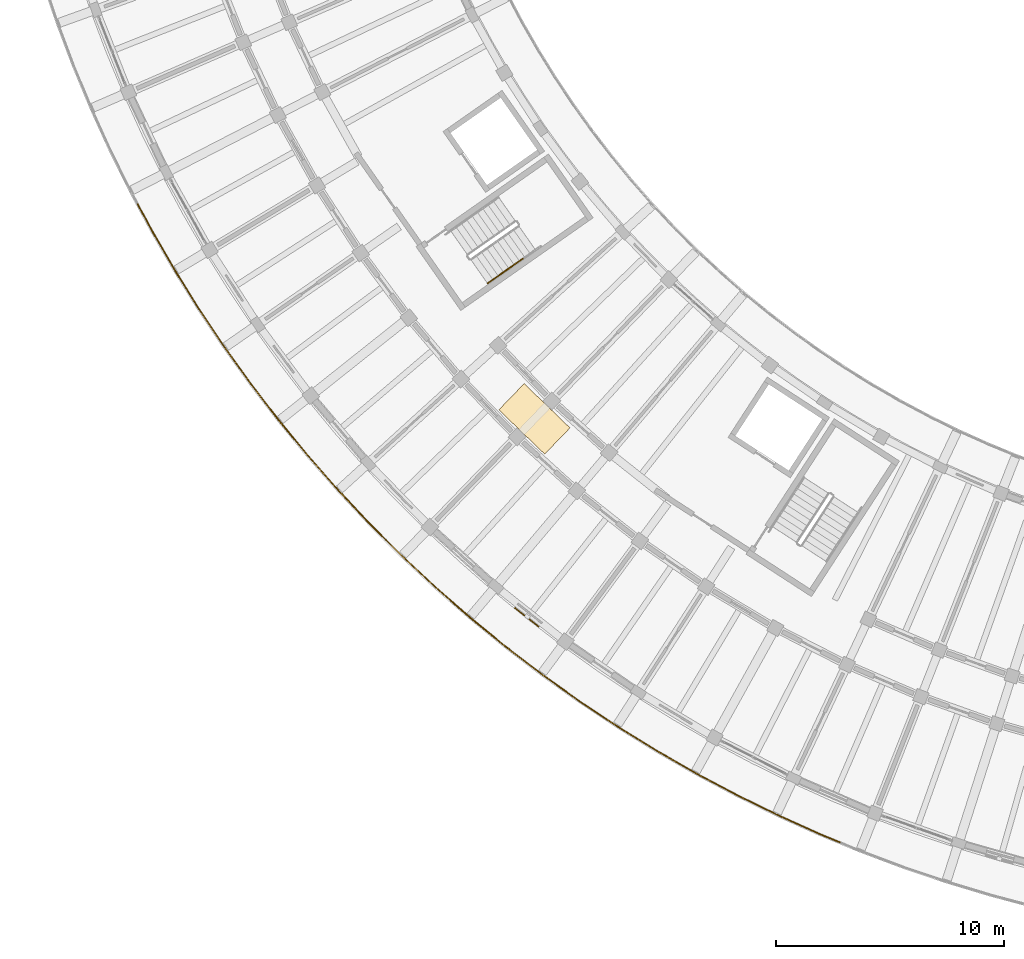
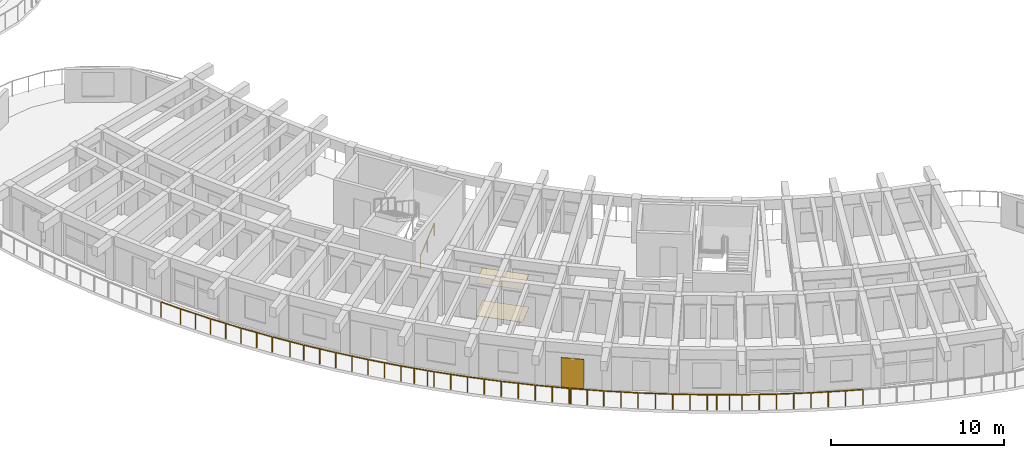
# One storey, part 79 of 96: 7 railings, 2 coverings, 1 shading device.
"""IFC4 building model written with IfcOpenShell, lengths in metres."""

import ifcopenshell
import ifcopenshell.guid

model = None  # the IFC model being written
_history = None  # IfcOwnerHistory: only IFC2X3 demands one
_inside = {}  # id of a spatial element -> (the spatial element, [elements in it])
_under = {}  # id of a project, library or spatial element -> (it, [spatial elements below it])
_declared = {}  # id of a project -> (the project, [libraries it declares])
_typed = {}  # id of a type object -> (the type object, [elements of that type])
_made_of = {}  # id of a material, layer set ... -> (it, [elements and type objects made of it])


def new_model(schema):
    """Start an empty IFC model of exactly this schema.

    Asked for "IFC4X3", IfcOpenShell would pick the latest addendum, in which some entities
    have other attributes; the version numbers below select the first issue.
    IFC2X3 requires an IfcOwnerHistory on every rooted entity: one is made here for all.
    """
    global model, _history
    if schema == "IFC4X3":
        model = ifcopenshell.file(schema_version=(4, 3, 0, 0))
    else:
        model = ifcopenshell.file(schema=schema)
    _inside.clear()
    _under.clear()
    _declared.clear()
    _typed.clear()
    _made_of.clear()
    _history = None
    if model.schema == "IFC2X3":
        org = make("IfcOrganization", Name="unknown")
        user = make(
            "IfcPersonAndOrganization",
            ThePerson=make("IfcPerson", FamilyName="unknown"),
            TheOrganization=org,
        )
        app = make(
            "IfcApplication",
            ApplicationDeveloper=org,
            Version="unknown",
            ApplicationFullName="unknown",
            ApplicationIdentifier="unknown",
        )
        _history = make(
            "IfcOwnerHistory",
            OwningUser=user,
            OwningApplication=app,
            ChangeAction="ADDED",
            CreationDate=0,
        )
    return model


def make(cls, **values):
    """One entity of the class cls with the attributes given. An attribute that is None is left unset."""
    return model.create_entity(
        cls, **{name: value for name, value in values.items() if value is not None}
    )


def rooted(cls, **values):
    """An entity with a GlobalId (a new one), such as an element, a storey or a relation."""
    return make(cls, GlobalId=ifcopenshell.guid.new(), OwnerHistory=_history, **values)


def si_unit(unit_type, name, prefix=None):
    """IfcSIUnit, for example si_unit("LENGTHUNIT", "METRE", prefix="MILLI")."""
    return make("IfcSIUnit", UnitType=unit_type, Prefix=prefix, Name=name)


def assignment(units):
    """IfcUnitAssignment: the units of a project."""
    return None if units is None else make("IfcUnitAssignment", Units=units)


def point(xyz):
    """IfcCartesianPoint."""
    return None if xyz is None else make("IfcCartesianPoint", Coordinates=xyz)


def direction(xyz):
    """IfcDirection."""
    return None if xyz is None else make("IfcDirection", DirectionRatios=xyz)


def frame(location, z_axis=None, x_axis=None):
    """IfcAxis2Placement3D, a coordinate frame: its origin and axes. An axis left out is left unset."""
    return make(
        "IfcAxis2Placement3D",
        Location=point(location),
        Axis=direction(z_axis),
        RefDirection=direction(x_axis),
    )


def frame_2d(location, x_axis=None):
    """IfcAxis2Placement2D, a coordinate frame in the plane: its origin and x axis."""
    return make(
        "IfcAxis2Placement2D", Location=point(location), RefDirection=direction(x_axis)
    )


def origin():
    """The frame at (0, 0, 0) with its axes left unset."""
    return frame((0.0, 0.0, 0.0))


def origin_2d():
    """The frame at (0, 0) in the plane with its x axis left unset."""
    return frame_2d((0.0, 0.0))


def place(relative_to, where):
    """IfcLocalPlacement: puts the frame where relative to a parent placement (None: the world)."""
    return make(
        "IfcLocalPlacement", PlacementRelTo=relative_to, RelativePlacement=where
    )


def context(
    kind, dimensions, precision=None, world=None, true_north=None, identifier=None
):
    """IfcGeometricRepresentationContext, for example the 3D "Model" context."""
    return make(
        "IfcGeometricRepresentationContext",
        ContextIdentifier=identifier,
        ContextType=kind,
        CoordinateSpaceDimension=dimensions,
        Precision=precision,
        WorldCoordinateSystem=world,
        TrueNorth=true_north,
    )


def subcontext(parent, identifier, kind, view, scale=None):
    """IfcGeometricRepresentationSubContext, for example "Body" below "Model"."""
    return make(
        "IfcGeometricRepresentationSubContext",
        ContextIdentifier=identifier,
        ContextType=kind,
        ParentContext=parent,
        TargetScale=scale,
        TargetView=view,
    )


def project(units=None, contexts=None):
    """IfcProject with its units and contexts."""
    return rooted(
        "IfcProject",
        Name="project",
        RepresentationContexts=contexts,
        UnitsInContext=assignment(units),
    )


def spatial(cls, under=None, at=None, **own):
    """A site, building, storey or space (cls), placed at a placement, below another one or the project."""
    s = rooted(cls, ObjectPlacement=at, **own)
    if under is not None:
        _under.setdefault(under.id(), (under, []))[1].append(s)
    return s


def profile(cls, at=None, kind="AREA", **sizes):
    """A parametric profile (cls). Its sizes go by their IFC names, for example OverallWidth=200.0."""
    return make(cls, ProfileType=kind, Position=at, **sizes)


def rectangle(**sizes):
    """IfcRectangleProfileDef."""
    return profile("IfcRectangleProfileDef", **sizes)


def circle(**sizes):
    """IfcCircleProfileDef."""
    return profile("IfcCircleProfileDef", **sizes)


def extrude(swept, where, along, depth):
    """IfcExtrudedAreaSolid: the profile swept, set in the frame where, extruded along a direction by depth."""
    return make(
        "IfcExtrudedAreaSolid",
        SweptArea=swept,
        Position=where,
        ExtrudedDirection=direction(along),
        Depth=depth,
    )


def shape(context_of_items, identifier, shape_type, items):
    """IfcShapeRepresentation: the items that make up one representation, for example the "Body"."""
    return make(
        "IfcShapeRepresentation",
        ContextOfItems=context_of_items,
        RepresentationIdentifier=identifier,
        RepresentationType=shape_type,
        Items=items,
    )


def material(Name=None, Category=None):
    """IfcMaterial."""
    return make("IfcMaterial", Name=Name, Category=Category)


def layer(
    of_material, thickness, ventilated=None, Name=None, Category=None, Priority=None
):
    """IfcMaterialLayer: one layer of a wall or slab, of a material (None: an air gap)."""
    return make(
        "IfcMaterialLayer",
        Material=of_material,
        LayerThickness=thickness,
        IsVentilated=ventilated,
        Name=Name,
        Category=Category,
        Priority=Priority,
    )


def layer_set(layers, Name=None):
    """IfcMaterialLayerSet."""
    return make("IfcMaterialLayerSet", MaterialLayers=layers, LayerSetName=Name)


def made_of(thing, what):
    """Note that an element or type object is made of a material, layer set ...; save() writes the relation."""
    if what is not None:
        _made_of.setdefault(what.id(), (what, []))[1].append(thing)
    return thing


def type_object(cls, material=None, **own):
    """A type object (cls), such as IfcWallType, which elements share."""
    return made_of(rooted(cls, **own), material)


def element(
    cls,
    number,
    at=None,
    inside=None,
    cuts=None,
    type_object=None,
    material=None,
    context=None,
    identifier="Body",
    shape_type=None,
    held_by="IfcProductDefinitionShape",
    body=None,
    shapes=None,
    **own,
):
    """One element of the class cls, such as IfcWall. Its Tag is "e" and its number.

    at: its placement. inside: the storey or other place that contains it. cuts: it is an
    opening in that element (IfcRelVoidsElement). A single representation is given by context,
    identifier, shape_type and body (its items); several are given by shapes. held_by: the class
    of the entity that holds the representations. save() writes the other relations.
    """
    e = rooted(cls, Tag="e%d" % number, ObjectPlacement=at, **own)
    if body is not None:
        shapes = [shape(context, identifier, shape_type, body)]
    if shapes is not None:
        e.Representation = make(held_by, Representations=shapes)
    if inside is not None:
        _inside.setdefault(inside.id(), (inside, []))[1].append(e)
    if cuts is not None:
        rooted(
            "IfcRelVoidsElement", RelatingBuildingElement=cuts, RelatedOpeningElement=e
        )
    if type_object is not None:
        _typed.setdefault(type_object.id(), (type_object, []))[1].append(e)
    return made_of(e, material)


def aggregate(whole, parts):
    """IfcRelAggregates: a whole, such as a stair, and the parts it consists of."""
    return rooted("IfcRelAggregates", RelatingObject=whole, RelatedObjects=parts)


def save(model, path):
    """Write the relations noted so far, then the file.

    IfcRelAggregates (storeys below a building ...), IfcRelContainedInSpatialStructure (elements
    in a storey), IfcRelDefinesByType, IfcRelAssociatesMaterial and IfcRelDeclares: one each for
    every whole, place, type object, material and project.
    """
    for whole, parts in _under.values():
        aggregate(whole, parts)
    for where, things in _inside.values():
        rooted(
            "IfcRelContainedInSpatialStructure",
            RelatedElements=things,
            RelatingStructure=where,
        )
    for kind, things in _typed.values():
        rooted("IfcRelDefinesByType", RelatedObjects=things, RelatingType=kind)
    for what, things in _made_of.values():
        rooted("IfcRelAssociatesMaterial", RelatedObjects=things, RelatingMaterial=what)
    for by, libraries in _declared.values():
        rooted("IfcRelDeclares", RelatingContext=by, RelatedDefinitions=libraries)
    model.write(path)


model = new_model("IFC4")

# Units and contexts
model_context = context("Model", 3, precision=1e-05, world=origin(), true_north=direction((0.0, 1.0)))
body_context = subcontext(model_context, "Body", "Model", "MODEL_VIEW")
ifc_project = project(units=[si_unit("LENGTHUNIT", "METRE"), si_unit("AREAUNIT", "SQUARE_METRE"), si_unit("VOLUMEUNIT", "CUBIC_METRE"), si_unit("PLANEANGLEUNIT", "RADIAN"), si_unit("MASSUNIT", "GRAM", prefix="KILO")], contexts=[model_context])

# Site, building, storey
site_placement = place(None, origin())
site = spatial("IfcSite", under=ifc_project, at=site_placement, CompositionType="ELEMENT")
building_placement = place(site_placement, origin())
building = spatial("IfcBuilding", under=site, at=building_placement, Name="Tanwirah Colonnade Gardens", CompositionType="ELEMENT")
storey_placement = place(building_placement, frame((0.0, 0.0, 12.199951171875)))
storey = spatial("IfcBuildingStorey", under=building, at=storey_placement, Name="L03", CompositionType="ELEMENT", Elevation=12.199951171875)

# Railings
ifc_material_1 = material(Name="Precast concrete C40/50", Category="concrete")
railing_type_1 = type_object("IfcRailingType", Name="BAL-EXT110", PredefinedType="BALUSTRADE", material=ifc_material_1)
railing_1_placement = place(storey_placement, frame((41.62255859375, 7.81982421875, 0.0)))
element("IfcRailing", 1, at=railing_1_placement, inside=storey, type_object=railing_type_1, Name="Block C L03 Balcony Ribbon Balustrade 11", PredefinedType="BALUSTRADE", context=body_context, shape_type="SweptSolid", body=[
    extrude(circle(Radius=0.02392578125, at=origin_2d()), frame((-0.02880859375, 0.011962890625, 1.076171875), z_axis=(-0.924279622952, 0.381716096851, 0.0), x_axis=(-0.381716096851, -0.924279622952, 0.0)), (0.0, 0.0, 1.0), 0.966552734375),
    extrude(circle(Radius=0.02392578125, at=origin_2d()), frame((-0.979736328125, 0.40576171875, 1.076171875), z_axis=(-0.911305810052, 0.411730155035, 0.0), x_axis=(-0.411730155035, -0.911305810052, 0.0)), (0.0, 0.0, 1.0), 1.944091796875),
    extrude(circle(Radius=0.02392578125, at=origin_2d()), frame((-2.807861328125, 1.23291015625, 1.076171875), z_axis=(-0.897352335885, 0.441314836916, 0.0), x_axis=(-0.441314836916, -0.897352335885, 0.0)), (0.0, 0.0, 1.0), 1.944091796875),
    extrude(circle(Radius=0.02392578125, at=origin_2d()), frame((-4.60791015625, 2.119140625, 1.076171875), z_axis=(-0.882416921514, 0.470468252516, 0.0), x_axis=(-0.470468252516, -0.882416921514, 0.0)), (0.0, 0.0, 1.0), 1.944091796875),
    extrude(circle(Radius=0.02392578125, at=origin_2d()), frame((-6.378173828125, 3.064208984375, 1.076171875), z_axis=(-0.866602615509, 0.498998904601, 0.0), x_axis=(-0.498998904601, -0.866602615509, 0.0)), (0.0, 0.0, 1.0), 1.388671875),
    extrude(circle(Radius=0.02099609375, at=origin_2d()), origin(), (0.0, 0.0, 1.0), 1.049072265625),
    extrude(circle(Radius=0.02099609375, at=origin_2d()), frame((-0.951171875, 0.392822265625, 0.0)), (0.0, 0.0, 1.0), 1.049072265625),
    extrude(circle(Radius=0.02099609375, at=origin_2d()), frame((-1.865478515625, 0.805908203125, 0.0)), (0.0, 0.0, 1.0), 1.049072265625),
    extrude(circle(Radius=0.02099609375, at=origin_2d()), frame((-2.77978515625, 1.218994140625, 0.0)), (0.0, 0.0, 1.0), 1.049072265625),
    extrude(circle(Radius=0.02099609375, at=origin_2d()), frame((-3.68017578125, 1.66162109375, 0.0)), (0.0, 0.0, 1.0), 1.049072265625),
    extrude(circle(Radius=0.02099609375, at=origin_2d()), frame((-4.580322265625, 2.1044921875, 0.0)), (0.0, 0.0, 1.0), 1.049072265625),
    extrude(circle(Radius=0.02099609375, at=origin_2d()), frame((-5.4658203125, 2.57666015625, 0.0)), (0.0, 0.0, 1.0), 1.049072265625),
    extrude(circle(Radius=0.02099609375, at=origin_2d()), frame((-6.35107421875, 3.048583984375, 0.0)), (0.0, 0.0, 1.0), 1.049072265625),
    extrude(circle(Radius=0.02099609375, at=origin_2d()), frame((-6.97998046875, 3.41064453125, 0.0)), (0.0, 0.0, 1.0), 1.049072265625),
    extrude(circle(Radius=0.02099609375, at=origin_2d()), frame((-7.608642578125, 3.772705078125, 0.0)), (0.0, 0.0, 1.0), 1.049072265625),
])
railing_2_placement = place(storey_placement, frame((34.013916015625, 11.592529296875, 0.0)))
element("IfcRailing", 2, at=railing_2_placement, inside=storey, type_object=railing_type_1, Name="Block C L03 Balcony Ribbon Balustrade 12", PredefinedType="BALUSTRADE", context=body_context, shape_type="SweptSolid", body=[
    extrude(circle(Radius=0.02392578125, at=origin_2d()), frame((-0.027099609375, 0.015625, 1.076171875), z_axis=(-0.866587887703, 0.49902448125, 0.0), x_axis=(-0.49902448125, -0.866587887703, 0.0)), (0.0, 0.0, 1.0), 0.49267578125),
    extrude(circle(Radius=0.02392578125, at=origin_2d()), frame((-0.5078125, 0.293701171875, 1.076171875), z_axis=(-0.84977735452, 0.527141771959, 0.0), x_axis=(-0.527141771959, -0.84977735452, 0.0)), (0.0, 0.0, 1.0), 1.9443359375),
    extrude(circle(Radius=0.02392578125, at=origin_2d()), frame((-2.212646484375, 1.352294921875, 1.076171875), z_axis=(-0.832069011603, 0.554672119301, 0.0), x_axis=(-0.554672119301, -0.832069011603, 0.0)), (0.0, 0.0, 1.0), 1.944091796875),
    extrude(circle(Radius=0.02392578125, at=origin_2d()), frame((-3.881591796875, 2.466064453125, 1.076171875), z_axis=(-0.813486769226, 0.581583421612, 0.0), x_axis=(-0.581583421612, -0.813486769226, 0.0)), (0.0, 0.0, 1.0), 1.944091796875),
    extrude(circle(Radius=0.02392578125, at=origin_2d()), frame((-5.513427734375, 3.634033203125, 1.076171875), z_axis=(-0.794008424843, 0.60790675377, 0.0), x_axis=(-0.60790675377, -0.794008424843, 0.0)), (0.0, 0.0, 1.0), 1.862060546875),
    extrude(circle(Radius=0.02099609375, at=origin_2d()), origin(), (0.0, 0.0, 1.0), 1.049072265625),
    extrude(circle(Radius=0.02099609375, at=origin_2d()), frame((-0.481201171875, 0.277099609375, 0.0)), (0.0, 0.0, 1.0), 1.049072265625),
    extrude(circle(Radius=0.02099609375, at=origin_2d()), frame((-1.333984375, 0.80615234375, 0.0)), (0.0, 0.0, 1.0), 1.049072265625),
    extrude(circle(Radius=0.02099609375, at=origin_2d()), frame((-2.1865234375, 1.3349609375, 0.0)), (0.0, 0.0, 1.0), 1.049072265625),
    extrude(circle(Radius=0.02099609375, at=origin_2d()), frame((-3.021484375, 1.8916015625, 0.0)), (0.0, 0.0, 1.0), 1.049072265625),
    extrude(circle(Radius=0.02099609375, at=origin_2d()), frame((-3.856201171875, 2.447998046875, 0.0)), (0.0, 0.0, 1.0), 1.049072265625),
    extrude(circle(Radius=0.02099609375, at=origin_2d()), frame((-4.67236328125, 3.031494140625, 0.0)), (0.0, 0.0, 1.0), 1.049072265625),
    extrude(circle(Radius=0.02099609375, at=origin_2d()), frame((-5.488525390625, 3.614990234375, 0.0)), (0.0, 0.0, 1.0), 1.049072265625),
    extrude(circle(Radius=0.02099609375, at=origin_2d()), frame((-6.25244140625, 4.199951171875, 0.0)), (0.0, 0.0, 1.0), 1.049072265625),
    extrude(circle(Radius=0.02099609375, at=origin_2d()), frame((-7.0166015625, 4.784912109375, 0.0)), (0.0, 0.0, 1.0), 1.049072265625),
])
railing_3_placement = place(storey_placement, frame((26.997314453125, 16.37744140625, 0.0)))
element("IfcRailing", 3, at=railing_3_placement, inside=storey, type_object=railing_type_1, Name="Block C L03 Balcony Ribbon Balustrade 13", PredefinedType="BALUSTRADE", context=body_context, shape_type="SweptSolid", body=[
    extrude(circle(Radius=0.02392578125, at=origin_2d()), frame((-0.02490234375, 0.01904296875, 1.076171875), z_axis=(-0.794611184815, 0.607118658061, 0.0), x_axis=(-0.607118658061, -0.794611184815, 0.0)), (0.0, 0.0, 1.0), 0.01953125),
    extrude(circle(Radius=0.02392578125, at=origin_2d()), frame((-0.08935546875, 0.069580078125, 1.076171875), z_axis=(-0.773707873236, 0.633542521771, 0.0), x_axis=(-0.633542521771, -0.773707873236, 0.0)), (0.0, 0.0, 1.0), 1.944091796875),
    extrude(circle(Radius=0.02392578125, at=origin_2d()), frame((-1.64111328125, 1.341552734375, 1.076171875), z_axis=(-0.752508858808, 0.658582126553, 0.0), x_axis=(-0.658582126553, -0.752508858808, 0.0)), (0.0, 0.0, 1.0), 1.944091796875),
    extrude(circle(Radius=0.02392578125, at=origin_2d()), frame((-3.150634765625, 2.663818359375, 1.076171875), z_axis=(-0.730610060212, 0.682794947196, 0.0), x_axis=(-0.682794947196, -0.730610060212, 0.0)), (0.0, 0.0, 1.0), 1.944091796875),
    extrude(circle(Radius=0.02392578125, at=origin_2d()), frame((-4.615966796875, 4.03466796875, 1.076171875), z_axis=(-0.707897217537, 0.706315460261, 0.0), x_axis=(-0.706315460261, -0.707897217537, 0.0)), (0.0, 0.0, 1.0), 1.944091796875),
    extrude(circle(Radius=0.02392578125, at=origin_2d()), frame((-6.03564453125, 5.45263671875, 1.076171875), z_axis=(-0.684314204169, 0.729187266738, 0.0), x_axis=(-0.729187266738, -0.684314204169, 0.0)), (0.0, 0.0, 1.0), 0.3291015625),
    extrude(circle(Radius=0.02099609375, at=origin_2d()), origin(), (0.0, 0.0, 1.0), 1.049072265625),
    extrude(circle(Radius=0.02099609375, at=origin_2d()), frame((-0.065185546875, 0.0498046875, 0.0)), (0.0, 0.0, 1.0), 1.049072265625),
    extrude(circle(Radius=0.02099609375, at=origin_2d()), frame((-0.84130859375, 0.685546875, 0.0)), (0.0, 0.0, 1.0), 1.049072265625),
    extrude(circle(Radius=0.02099609375, at=origin_2d()), frame((-1.61767578125, 1.321044921875, 0.0)), (0.0, 0.0, 1.0), 1.049072265625),
    extrude(circle(Radius=0.02099609375, at=origin_2d()), frame((-2.37255859375, 1.98193359375, 0.0)), (0.0, 0.0, 1.0), 1.049072265625),
    extrude(circle(Radius=0.02099609375, at=origin_2d()), frame((-3.127685546875, 2.642578125, 0.0)), (0.0, 0.0, 1.0), 1.049072265625),
    extrude(circle(Radius=0.02099609375, at=origin_2d()), frame((-3.86083984375, 3.32763671875, 0.0)), (0.0, 0.0, 1.0), 1.049072265625),
    extrude(circle(Radius=0.02099609375, at=origin_2d()), frame((-4.59375, 4.0126953125, 0.0)), (0.0, 0.0, 1.0), 1.049072265625),
    extrude(circle(Radius=0.02099609375, at=origin_2d()), frame((-5.303955078125, 4.72119140625, 0.0)), (0.0, 0.0, 1.0), 1.049072265625),
    extrude(circle(Radius=0.02099609375, at=origin_2d()), frame((-6.01416015625, 5.429931640625, 0.0)), (0.0, 0.0, 1.0), 1.049072265625),
    extrude(circle(Radius=0.02099609375, at=origin_2d()), frame((-6.2822265625, 5.715576171875, 0.0)), (0.0, 0.0, 1.0), 1.049072265625),
])
railing_4_placement = place(storey_placement, frame((20.715087890625, 22.093017578125, 0.0)))
element("IfcRailing", 4, at=railing_4_placement, inside=storey, type_object=railing_type_1, Name="Block C L03 Balcony Ribbon Balustrade 14", PredefinedType="BALUSTRADE", context=body_context, shape_type="SweptSolid", body=[
    extrude(circle(Radius=0.02392578125, at=origin_2d()), frame((-0.021484375, 0.022705078125, 1.076171875), z_axis=(-0.68437850788, 0.729126914845, 0.0), x_axis=(-0.729126914845, -0.68437850788, 0.0)), (0.0, 0.0, 1.0), 1.552490234375),
    extrude(circle(Radius=0.02392578125, at=origin_2d()), frame((-1.1259765625, 1.200927734375, 1.076171875), z_axis=(-0.660199900943, 0.751089935224, 0.0), x_axis=(-0.751089935224, -0.660199900943, 0.0)), (0.0, 0.0, 1.0), 1.944091796875),
    extrude(circle(Radius=0.02392578125, at=origin_2d()), frame((-2.44970703125, 2.708740234375, 1.076171875), z_axis=(-0.635216698846, 0.77233395983, 0.0), x_axis=(-0.77233395983, -0.635216698846, 0.0)), (0.0, 0.0, 1.0), 1.944091796875),
    extrude(circle(Radius=0.02392578125, at=origin_2d()), frame((-3.7236328125, 4.259033203125, 1.076171875), z_axis=(-0.609669601555, 0.7926556484, 0.0), x_axis=(-0.7926556484, -0.609669601555, 0.0)), (0.0, 0.0, 1.0), 1.944091796875),
    extrude(circle(Radius=0.02392578125, at=origin_2d()), frame((-4.9462890625, 5.850341796875, 1.076171875), z_axis=(-0.583211557047, 0.812320306115, 0.0), x_axis=(-0.812320306115, -0.583211557047, 0.0)), (0.0, 0.0, 1.0), 0.802734375),
    extrude(circle(Radius=0.02099609375, at=origin_2d()), origin(), (0.0, 0.0, 1.0), 1.049072265625),
    extrude(circle(Radius=0.02099609375, at=origin_2d()), frame((-0.552734375, 0.5888671875, 0.0)), (0.0, 0.0, 1.0), 1.049072265625),
    extrude(circle(Radius=0.02099609375, at=origin_2d()), frame((-1.105224609375, 1.177490234375, 0.0)), (0.0, 0.0, 1.0), 1.049072265625),
    extrude(circle(Radius=0.02099609375, at=origin_2d()), frame((-1.767578125, 1.93115234375, 0.0)), (0.0, 0.0, 1.0), 1.049072265625),
    extrude(circle(Radius=0.02099609375, at=origin_2d()), frame((-2.429931640625, 2.6845703125, 0.0)), (0.0, 0.0, 1.0), 1.049072265625),
    extrude(circle(Radius=0.02099609375, at=origin_2d()), frame((-3.0673828125, 3.45947265625, 0.0)), (0.0, 0.0, 1.0), 1.049072265625),
    extrude(circle(Radius=0.02099609375, at=origin_2d()), frame((-3.70458984375, 4.234375, 0.0)), (0.0, 0.0, 1.0), 1.049072265625),
    extrude(circle(Radius=0.02099609375, at=origin_2d()), frame((-4.31640625, 5.02978515625, 0.0)), (0.0, 0.0, 1.0), 1.049072265625),
    extrude(circle(Radius=0.02099609375, at=origin_2d()), frame((-4.927978515625, 5.824951171875, 0.0)), (0.0, 0.0, 1.0), 1.049072265625),
    extrude(circle(Radius=0.02099609375, at=origin_2d()), frame((-5.4326171875, 6.52783203125, 0.0)), (0.0, 0.0, 1.0), 1.049072265625),
])
railing_5_placement = place(storey_placement, frame((15.282470703125, 28.620849609375, 0.0)))
element("IfcRailing", 5, at=railing_5_placement, inside=storey, type_object=railing_type_1, Name="Block C L03 Balcony Ribbon Balustrade 15", PredefinedType="BALUSTRADE", context=body_context, shape_type="SweptSolid", body=[
    extrude(circle(Radius=0.02392578125, at=origin_2d()), frame((-0.018310546875, 0.025390625, 1.076171875), z_axis=(-0.583340691187, 0.812227577718, 0.0), x_axis=(-0.812227577718, -0.583340691187, 0.0)), (0.0, 0.0, 1.0), 1.078857421875),
    extrude(circle(Radius=0.02392578125, at=origin_2d()), frame((-0.68310546875, 0.952880859375, 1.076171875), z_axis=(-0.556495801451, 0.830850421537, 0.0), x_axis=(-0.830850421537, -0.556495801451, 0.0)), (0.0, 0.0, 1.0), 1.944091796875),
    extrude(circle(Radius=0.02392578125, at=origin_2d()), frame((-1.799072265625, 2.620849609375, 1.076171875), z_axis=(-0.529003375217, 0.848619719903, 0.0), x_axis=(-0.848619719903, -0.529003375217, 0.0)), (0.0, 0.0, 1.0), 1.944091796875),
    extrude(circle(Radius=0.02392578125, at=origin_2d()), frame((-2.859619140625, 4.32421875, 1.076171875), z_axis=(-0.500940340279, 0.865481816956, 0.0), x_axis=(-0.865481816956, -0.500940340279, 0.0)), (0.0, 0.0, 1.0), 1.94384765625),
    extrude(circle(Radius=0.02392578125, at=origin_2d()), frame((-3.86376953125, 6.061279296875, 1.076171875), z_axis=(-0.472413668616, 0.881376948703, 0.0), x_axis=(-0.881376948703, -0.472413668616, 0.0)), (0.0, 0.0, 1.0), 1.2763671875),
    extrude(circle(Radius=0.02099609375, at=origin_2d()), origin(), (0.0, 0.0, 1.0), 1.049072265625),
    extrude(circle(Radius=0.02099609375, at=origin_2d()), frame((-0.665771484375, 0.927001953125, 0.0)), (0.0, 0.0, 1.0), 1.049072265625),
    extrude(circle(Radius=0.02099609375, at=origin_2d()), frame((-1.22412109375, 1.7607421875, 0.0)), (0.0, 0.0, 1.0), 1.049072265625),
    extrude(circle(Radius=0.02099609375, at=origin_2d()), frame((-1.782470703125, 2.59423828125, 0.0)), (0.0, 0.0, 1.0), 1.049072265625),
    extrude(circle(Radius=0.02099609375, at=origin_2d()), frame((-2.313232421875, 3.44580078125, 0.0)), (0.0, 0.0, 1.0), 1.049072265625),
    extrude(circle(Radius=0.02099609375, at=origin_2d()), frame((-2.843994140625, 4.297119140625, 0.0)), (0.0, 0.0, 1.0), 1.049072265625),
    extrude(circle(Radius=0.02099609375, at=origin_2d()), frame((-3.3466796875, 5.16552734375, 0.0)), (0.0, 0.0, 1.0), 1.049072265625),
    extrude(circle(Radius=0.02099609375, at=origin_2d()), frame((-3.84912109375, 6.03369140625, 0.0)), (0.0, 0.0, 1.0), 1.049072265625),
    extrude(circle(Radius=0.02099609375, at=origin_2d()), frame((-4.481689453125, 7.2138671875, 0.0)), (0.0, 0.0, 1.0), 1.049072265625),
])

# Coverings
ifc_material_2 = material(Name="Acoustic perforated gypsum ceiling board")
ifc_layer_1 = layer(ifc_material_2, 0.014892578125)
ifc_layer_set_1 = layer_set([ifc_layer_1], Name="Acoustic perforated gypsum ceiling board")
covering_type_1 = type_object("IfcCoveringType", Name="COV-CEIL15", PredefinedType="CEILING", material=ifc_layer_set_1)
covering_1_placement = place(storey_placement, frame((28.2177734375, 26.410888671875, 2.3125), z_axis=(0.0, 0.0, 1.0), x_axis=(0.719339800339, -0.694658370459, 0.0)))
element("IfcCovering", 6, at=covering_1_placement, inside=storey, type_object=covering_type_1, Name="Block C L03 Corridor Acoustic Ceiling", PredefinedType="CEILING", context=body_context, shape_type="SweptSolid", body=[
    extrude(rectangle(XDim=2.800048828125, YDim=1.60009765625, at=origin_2d()), origin(), (0.0, 0.0, 1.0), 0.014892578125),
])
ifc_material_3 = material(Name="Honed Abu Dhabi limestone terrazzo flooring", Category="masonry")
ifc_layer_2 = layer(ifc_material_3, 0.02001953125)
ifc_layer_set_2 = layer_set([ifc_layer_2], Name="Honed Abu Dhabi limestone terrazzo flooring")
covering_type_2 = type_object("IfcCoveringType", Name="COV-FLR20", PredefinedType="FLOORING", material=ifc_layer_set_2)
covering_2_placement = place(storey_placement, frame((28.2177734375, 26.410888671875, 0.0), z_axis=(0.0, 0.0, 1.0), x_axis=(0.719339800339, -0.694658370459, 0.0)))
element("IfcCovering", 7, at=covering_2_placement, inside=storey, type_object=covering_type_2, Name="Block C L03 Corridor Terrazzo Flooring", PredefinedType="FLOORING", context=body_context, shape_type="SweptSolid", body=[
    extrude(rectangle(XDim=2.800048828125, YDim=1.60009765625, at=origin_2d()), origin(), (0.0, 0.0, 1.0), 0.02001953125),
])

# Railings
ifc_material_4 = material(Name="Brushed bronze stainless steel", Category="steel")
railing_type_2 = type_object("IfcRailingType", Name="HR-ST090", PredefinedType="HANDRAIL", material=ifc_material_4)
railing_6_placement = place(storey_placement, frame((26.16064453125, 32.360107421875, 0.16796875)))
element("IfcRailing", 8, at=railing_6_placement, inside=storey, type_object=railing_type_2, Name="L03 ST-C1 stair handrail 1", PredefinedType="HANDRAIL", context=body_context, shape_type="SweptSolid", body=[
    extrude(circle(Radius=0.02392578125, at=origin_2d()), frame((0.02197265625, 0.015380859375, 0.891845703125), z_axis=(0.703606519106, 0.492767414699, 0.511974746723), x_axis=(-0.57365206981, 0.819099079967, 0.0)), (0.0, 0.0, 1.0), 1.043212890625),
    extrude(circle(Radius=0.02099609375, at=origin_2d()), origin(), (0.0, 0.0, 1.0), 0.848876953125),
    extrude(circle(Radius=0.02099609375, at=origin_2d()), frame((0.778076171875, 0.544921875, 0.566162109375)), (0.0, 0.0, 1.0), 0.848876953125),
])
railing_7_placement = place(storey_placement, frame((26.938720703125, 32.905029296875, 0.734130859375)))
element("IfcRailing", 9, at=railing_7_placement, inside=storey, type_object=railing_type_2, Name="L03 ST-C1 stair handrail 2", PredefinedType="HANDRAIL", context=body_context, shape_type="SweptSolid", body=[
    extrude(circle(Radius=0.02392578125, at=origin_2d()), frame((0.02197265625, 0.015380859375, 0.891845703125), z_axis=(0.703797483594, 0.492746544348, 0.511732298297), x_axis=(-0.573531324472, 0.819183630115, 0.0)), (0.0, 0.0, 1.0), 1.04345703125),
    extrude(circle(Radius=0.02099609375, at=origin_2d()), origin(), (0.0, 0.0, 1.0), 0.848876953125),
    extrude(circle(Radius=0.02099609375, at=origin_2d()), frame((0.7783203125, 0.544921875, 0.56591796875)), (0.0, 0.0, 1.0), 0.848876953125),
])

# Shading device
ifc_material_5 = material(Name="Perforated architectural bronze aluminium", Category="aluminium")
ifc_layer_3 = layer(ifc_material_5, 0.044921875)
ifc_layer_set_3 = layer_set([ifc_layer_3], Name="Perforated architectural bronze aluminium")
shading_device_type = type_object("IfcShadingDeviceType", Name="SHD-MSH1", PredefinedType="JALOUSIE", material=ifc_layer_set_3)
shading_device_placement = place(storey_placement, frame((27.880615234375, 17.697265625, 0.0), z_axis=(0.0, 0.0, 1.0), x_axis=(0.783964634348, -0.620805486519, 0.0)))
element("IfcShadingDevice", 10, at=shading_device_placement, inside=storey, type_object=shading_device_type, Name="Bronze mashrabiya solar screen C-L03-09", PredefinedType="JALOUSIE", context=body_context, shape_type="SweptSolid", body=[
    extrude(rectangle(XDim=1.35009765625, YDim=0.044921875, at=origin_2d()), origin(), (0.0, 0.0, 1.0), 2.10009765625),
])

save(model, "model.ifc")
